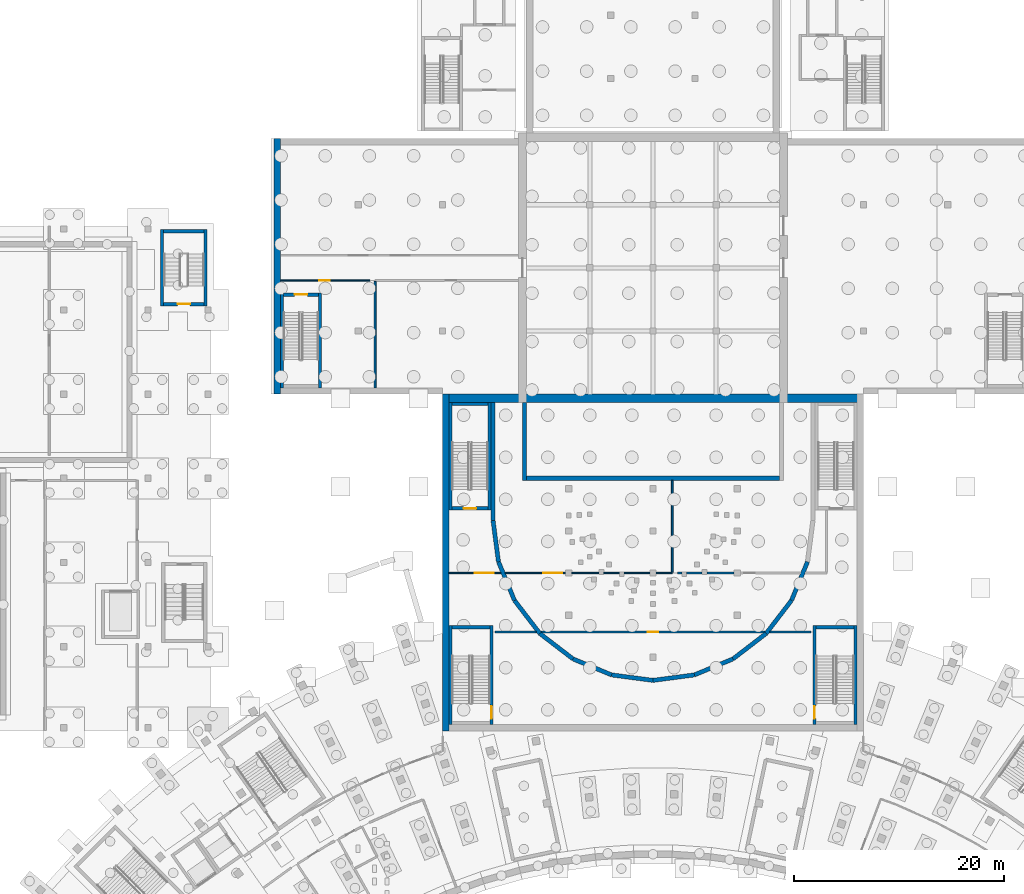
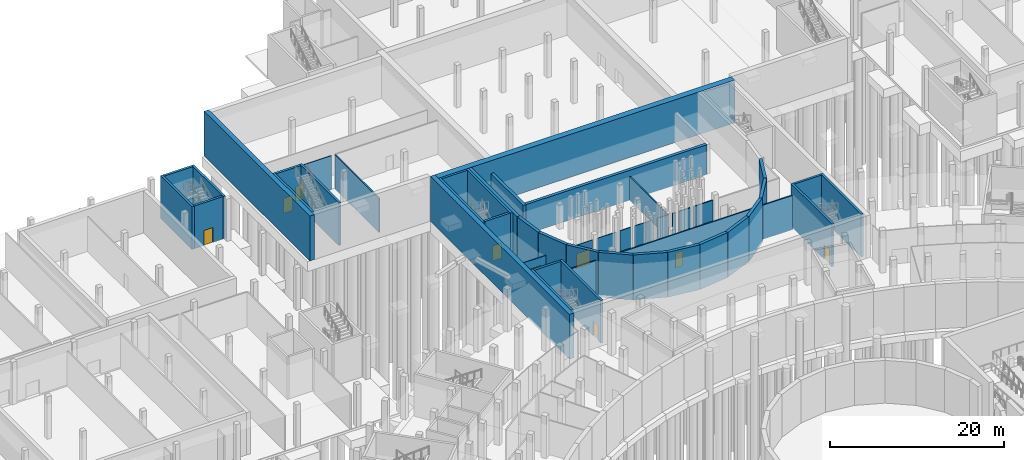
# One storey, part 25 of 66: 49 walls, 9 doors, 9 openings.
"""IFC4 building model written with IfcOpenShell, lengths in metres."""

import ifcopenshell
import ifcopenshell.guid

model = None  # the IFC model being written
_history = None  # IfcOwnerHistory: only IFC2X3 demands one
_inside = {}  # id of a spatial element -> (the spatial element, [elements in it])
_under = {}  # id of a project, library or spatial element -> (it, [spatial elements below it])
_declared = {}  # id of a project -> (the project, [libraries it declares])
_typed = {}  # id of a type object -> (the type object, [elements of that type])
_made_of = {}  # id of a material, layer set ... -> (it, [elements and type objects made of it])


def new_model(schema):
    """Start an empty IFC model of exactly this schema.

    Asked for "IFC4X3", IfcOpenShell would pick the latest addendum, in which some entities
    have other attributes; the version numbers below select the first issue.
    IFC2X3 requires an IfcOwnerHistory on every rooted entity: one is made here for all.
    """
    global model, _history
    if schema == "IFC4X3":
        model = ifcopenshell.file(schema_version=(4, 3, 0, 0))
    else:
        model = ifcopenshell.file(schema=schema)
    _inside.clear()
    _under.clear()
    _declared.clear()
    _typed.clear()
    _made_of.clear()
    _history = None
    if model.schema == "IFC2X3":
        org = make("IfcOrganization", Name="unknown")
        user = make(
            "IfcPersonAndOrganization",
            ThePerson=make("IfcPerson", FamilyName="unknown"),
            TheOrganization=org,
        )
        app = make(
            "IfcApplication",
            ApplicationDeveloper=org,
            Version="unknown",
            ApplicationFullName="unknown",
            ApplicationIdentifier="unknown",
        )
        _history = make(
            "IfcOwnerHistory",
            OwningUser=user,
            OwningApplication=app,
            ChangeAction="ADDED",
            CreationDate=0,
        )
    return model


def make(cls, **values):
    """One entity of the class cls with the attributes given. An attribute that is None is left unset."""
    return model.create_entity(
        cls, **{name: value for name, value in values.items() if value is not None}
    )


def rooted(cls, **values):
    """An entity with a GlobalId (a new one), such as an element, a storey or a relation."""
    return make(cls, GlobalId=ifcopenshell.guid.new(), OwnerHistory=_history, **values)


def si_unit(unit_type, name, prefix=None):
    """IfcSIUnit, for example si_unit("LENGTHUNIT", "METRE", prefix="MILLI")."""
    return make("IfcSIUnit", UnitType=unit_type, Prefix=prefix, Name=name)


def assignment(units):
    """IfcUnitAssignment: the units of a project."""
    return None if units is None else make("IfcUnitAssignment", Units=units)


def point(xyz):
    """IfcCartesianPoint."""
    return None if xyz is None else make("IfcCartesianPoint", Coordinates=xyz)


def direction(xyz):
    """IfcDirection."""
    return None if xyz is None else make("IfcDirection", DirectionRatios=xyz)


def frame(location, z_axis=None, x_axis=None):
    """IfcAxis2Placement3D, a coordinate frame: its origin and axes. An axis left out is left unset."""
    return make(
        "IfcAxis2Placement3D",
        Location=point(location),
        Axis=direction(z_axis),
        RefDirection=direction(x_axis),
    )


def frame_2d(location, x_axis=None):
    """IfcAxis2Placement2D, a coordinate frame in the plane: its origin and x axis."""
    return make(
        "IfcAxis2Placement2D", Location=point(location), RefDirection=direction(x_axis)
    )


def origin():
    """The frame at (0, 0, 0) with its axes left unset."""
    return frame((0.0, 0.0, 0.0))


def place(relative_to, where):
    """IfcLocalPlacement: puts the frame where relative to a parent placement (None: the world)."""
    return make(
        "IfcLocalPlacement", PlacementRelTo=relative_to, RelativePlacement=where
    )


def context(
    kind, dimensions, precision=None, world=None, true_north=None, identifier=None
):
    """IfcGeometricRepresentationContext, for example the 3D "Model" context."""
    return make(
        "IfcGeometricRepresentationContext",
        ContextIdentifier=identifier,
        ContextType=kind,
        CoordinateSpaceDimension=dimensions,
        Precision=precision,
        WorldCoordinateSystem=world,
        TrueNorth=true_north,
    )


def subcontext(parent, identifier, kind, view, scale=None):
    """IfcGeometricRepresentationSubContext, for example "Body" below "Model"."""
    return make(
        "IfcGeometricRepresentationSubContext",
        ContextIdentifier=identifier,
        ContextType=kind,
        ParentContext=parent,
        TargetScale=scale,
        TargetView=view,
    )


def project(units=None, contexts=None):
    """IfcProject with its units and contexts."""
    return rooted(
        "IfcProject",
        Name="project",
        RepresentationContexts=contexts,
        UnitsInContext=assignment(units),
    )


def spatial(cls, under=None, at=None, **own):
    """A site, building, storey or space (cls), placed at a placement, below another one or the project."""
    s = rooted(cls, ObjectPlacement=at, **own)
    if under is not None:
        _under.setdefault(under.id(), (under, []))[1].append(s)
    return s


def profile(cls, at=None, kind="AREA", **sizes):
    """A parametric profile (cls). Its sizes go by their IFC names, for example OverallWidth=200.0."""
    return make(cls, ProfileType=kind, Position=at, **sizes)


def rectangle(**sizes):
    """IfcRectangleProfileDef."""
    return profile("IfcRectangleProfileDef", **sizes)


def extrude(swept, where, along, depth):
    """IfcExtrudedAreaSolid: the profile swept, set in the frame where, extruded along a direction by depth."""
    return make(
        "IfcExtrudedAreaSolid",
        SweptArea=swept,
        Position=where,
        ExtrudedDirection=direction(along),
        Depth=depth,
    )


def shape(context_of_items, identifier, shape_type, items):
    """IfcShapeRepresentation: the items that make up one representation, for example the "Body"."""
    return make(
        "IfcShapeRepresentation",
        ContextOfItems=context_of_items,
        RepresentationIdentifier=identifier,
        RepresentationType=shape_type,
        Items=items,
    )


def material(Name=None, Category=None):
    """IfcMaterial."""
    return make("IfcMaterial", Name=Name, Category=Category)


def layer(
    of_material, thickness, ventilated=None, Name=None, Category=None, Priority=None
):
    """IfcMaterialLayer: one layer of a wall or slab, of a material (None: an air gap)."""
    return make(
        "IfcMaterialLayer",
        Material=of_material,
        LayerThickness=thickness,
        IsVentilated=ventilated,
        Name=Name,
        Category=Category,
        Priority=Priority,
    )


def layer_set(layers, Name=None):
    """IfcMaterialLayerSet."""
    return make("IfcMaterialLayerSet", MaterialLayers=layers, LayerSetName=Name)


def made_of(thing, what):
    """Note that an element or type object is made of a material, layer set ...; save() writes the relation."""
    if what is not None:
        _made_of.setdefault(what.id(), (what, []))[1].append(thing)
    return thing


def type_object(cls, material=None, **own):
    """A type object (cls), such as IfcWallType, which elements share."""
    return made_of(rooted(cls, **own), material)


def element(
    cls,
    number,
    at=None,
    inside=None,
    cuts=None,
    type_object=None,
    material=None,
    context=None,
    identifier="Body",
    shape_type=None,
    held_by="IfcProductDefinitionShape",
    body=None,
    shapes=None,
    **own,
):
    """One element of the class cls, such as IfcWall. Its Tag is "e" and its number.

    at: its placement. inside: the storey or other place that contains it. cuts: it is an
    opening in that element (IfcRelVoidsElement). A single representation is given by context,
    identifier, shape_type and body (its items); several are given by shapes. held_by: the class
    of the entity that holds the representations. save() writes the other relations.
    """
    e = rooted(cls, Tag="e%d" % number, ObjectPlacement=at, **own)
    if body is not None:
        shapes = [shape(context, identifier, shape_type, body)]
    if shapes is not None:
        e.Representation = make(held_by, Representations=shapes)
    if inside is not None:
        _inside.setdefault(inside.id(), (inside, []))[1].append(e)
    if cuts is not None:
        rooted(
            "IfcRelVoidsElement", RelatingBuildingElement=cuts, RelatedOpeningElement=e
        )
    if type_object is not None:
        _typed.setdefault(type_object.id(), (type_object, []))[1].append(e)
    return made_of(e, material)


def fill(opening, filler):
    """IfcRelFillsElement: the door or window that sits in an opening."""
    return rooted(
        "IfcRelFillsElement",
        RelatingOpeningElement=opening,
        RelatedBuildingElement=filler,
    )


def aggregate(whole, parts):
    """IfcRelAggregates: a whole, such as a stair, and the parts it consists of."""
    return rooted("IfcRelAggregates", RelatingObject=whole, RelatedObjects=parts)


def save(model, path):
    """Write the relations noted so far, then the file.

    IfcRelAggregates (storeys below a building ...), IfcRelContainedInSpatialStructure (elements
    in a storey), IfcRelDefinesByType, IfcRelAssociatesMaterial and IfcRelDeclares: one each for
    every whole, place, type object, material and project.
    """
    for whole, parts in _under.values():
        aggregate(whole, parts)
    for where, things in _inside.values():
        rooted(
            "IfcRelContainedInSpatialStructure",
            RelatedElements=things,
            RelatingStructure=where,
        )
    for kind, things in _typed.values():
        rooted("IfcRelDefinesByType", RelatedObjects=things, RelatingType=kind)
    for what, things in _made_of.values():
        rooted("IfcRelAssociatesMaterial", RelatedObjects=things, RelatingMaterial=what)
    for by, libraries in _declared.values():
        rooted("IfcRelDeclares", RelatingContext=by, RelatedDefinitions=libraries)
    model.write(path)


model = new_model("IFC4")

# Units and contexts
model_context = context("Model", 3, precision=1e-05, world=origin(), true_north=direction((0.0, 1.0)))
body_context = subcontext(model_context, "Body", "Model", "MODEL_VIEW")
ifc_project = project(units=[si_unit("LENGTHUNIT", "METRE"), si_unit("AREAUNIT", "SQUARE_METRE"), si_unit("VOLUMEUNIT", "CUBIC_METRE"), si_unit("PLANEANGLEUNIT", "RADIAN"), si_unit("MASSUNIT", "GRAM", prefix="KILO")], contexts=[model_context])

# Site, building, storey
site_placement = place(None, origin())
site = spatial("IfcSite", under=ifc_project, at=site_placement, CompositionType="ELEMENT")
building_placement = place(site_placement, origin())
building = spatial("IfcBuilding", under=site, at=building_placement, Name="Lunette Opera House", CompositionType="ELEMENT")
storey_placement = place(building_placement, frame((0.0, 0.0, -6.0)))
storey = spatial("IfcBuildingStorey", under=building, at=storey_placement, Name="B1", CompositionType="ELEMENT", Elevation=-6.0)

# Wall
ifc_material_1 = material(Name="Plastered clay blockwork", Category="masonry")
ifc_layer_1 = layer(ifc_material_1, 0.175048828125)
ifc_layer_set_1 = layer_set([ifc_layer_1], Name="Plastered clay blockwork")
wall_type_1 = type_object("IfcWallType", Name="ACOUSTIC BLOCK PARTITION 175", PredefinedType="PARTITIONING", material=ifc_layer_set_1)
wall_1_placement = place(storey_placement, frame((84.882080078125, 73.39990234375, 0.0), z_axis=(0.0, 0.0, 1.0), x_axis=(-1.0, 0.0, 0.0)))
element("IfcWall", 1, at=wall_1_placement, inside=storey, type_object=wall_type_1, Name="Partition Auditorium Plant Room", PredefinedType="PARTITIONING", context=body_context, shape_type="SweptSolid", body=[
    extrude(rectangle(XDim=3.882080078125, YDim=0.175048828125, at=frame_2d((1.94091796875, 0.0))), origin(), (0.0, 0.0, 1.0), 4.800048828125),
])

# Wall, opening, door
wall_2_placement = place(storey_placement, frame((106.612060546875, 73.39990234375, 0.0), z_axis=(0.0, 0.0, 1.0), x_axis=(-1.0, 0.0, 0.0)))
wall_2 = element("IfcWall", 2, at=wall_2_placement, inside=storey, type_object=wall_type_1, Name="Partition Auditorium Plant Room", PredefinedType="PARTITIONING", context=body_context, shape_type="SweptSolid", body=[
    extrude(rectangle(XDim=21.22412109375, YDim=0.175048828125, at=frame_2d((10.612060546875, 0.0))), origin(), (0.0, 0.0, 1.0), 4.800048828125),
])
opening_1_placement = place(wall_2_placement, frame((10.112060546875, 0.0, 0.0)))
opening_1 = element("IfcOpeningElement", 3, at=opening_1_placement, cuts=wall_2, Name="Opening AU-D3004", PredefinedType="OPENING", context=body_context, shape_type="SweptSolid", body=[
    extrude(rectangle(XDim=1.0, YDim=2.10009765625, at=frame_2d((0.5, 1.050048828125))), frame((0.0, 0.099609375, 0.0), z_axis=(0.0, -1.0, 0.0), x_axis=(1.0, 0.0, 0.0)), (0.0, 0.0, 1.0), 0.198974609375),
])
ifc_material_2 = material(Name="Timber", Category="wood")
door_type_1 = type_object("IfcDoorType", Name="FLUSH DOOR 1000 X 2100", OperationType="SINGLE_SWING_LEFT", PredefinedType="DOOR", material=ifc_material_2)
door_1_placement = place(opening_1_placement, origin())
door_1 = element("IfcDoor", 4, at=door_1_placement, inside=storey, type_object=door_type_1, Name="Auditorium Plant Room door", OperationType="SINGLE_SWING_RIGHT", OverallHeight=2.10009765625, OverallWidth=1.0, PredefinedType="DOOR", context=body_context, shape_type="SweptSolid", body=[
    extrude(rectangle(XDim=1.0, YDim=2.10009765625, at=frame_2d((0.5, 1.050048828125))), frame((0.0, 0.02490234375, 0.0), z_axis=(0.0, -1.0, 0.0), x_axis=(1.0, 0.0, 0.0)), (0.0, 0.0, 1.0), 0.050048828125),
])
fill(opening_1, door_1)

# Walls
wall_3_placement = place(storey_placement, frame((111.0, 73.39990234375, 0.0), z_axis=(0.0, 0.0, 1.0), x_axis=(-1.0, 0.0, 0.0)))
element("IfcWall", 5, at=wall_3_placement, inside=storey, type_object=wall_type_1, Name="Partition Auditorium Plant Room", PredefinedType="PARTITIONING", context=body_context, shape_type="SweptSolid", body=[
    extrude(rectangle(XDim=3.882080078125, YDim=0.175048828125, at=frame_2d((1.94091796875, 0.0))), origin(), (0.0, 0.0, 1.0), 4.800048828125),
])
wall_4_placement = place(storey_placement, frame((101.1259765625, 79.0, 0.0), z_axis=(0.0, 0.0, 1.0), x_axis=(1.0, 0.0, 0.0)))
element("IfcWall", 6, at=wall_4_placement, inside=storey, type_object=wall_type_1, Name="Partition Orchestra Pit Store", PredefinedType="PARTITIONING", context=body_context, shape_type="SweptSolid", body=[
    extrude(rectangle(XDim=2.573974609375, YDim=0.175048828125, at=frame_2d((1.287109375, 0.0))), origin(), (0.0, 0.0, 1.0), 3.300048828125),
])
wall_5_placement = place(storey_placement, frame((99.18603515625, 79.0, 0.0), z_axis=(0.0, 0.0, 1.0), x_axis=(1.0, 0.0, 0.0)))
element("IfcWall", 7, at=wall_5_placement, inside=storey, type_object=wall_type_1, Name="Partition Orchestra Pit Store", PredefinedType="PARTITIONING", context=body_context, shape_type="SweptSolid", body=[
    extrude(rectangle(XDim=1.489013671875, YDim=0.175048828125, at=frame_2d((0.74462890625, 0.0))), origin(), (0.0, 0.0, 1.0), 3.300048828125),
])
wall_6_placement = place(storey_placement, frame((98.330078125, 79.0, 0.0), z_axis=(0.0, 0.0, 1.0), x_axis=(1.0, 0.0, 0.0)))
element("IfcWall", 8, at=wall_6_placement, inside=storey, type_object=wall_type_1, Name="Partition Orchestra Pit Store", PredefinedType="PARTITIONING", context=body_context, shape_type="SweptSolid", body=[
    extrude(rectangle(XDim=0.406005859375, YDim=0.175048828125, at=frame_2d((0.203125, 0.0))), origin(), (0.0, 0.0, 1.0), 3.300048828125),
])
wall_7_placement = place(storey_placement, frame((69.591064453125, 96.60009765625, 0.0), z_axis=(0.0, 0.0, 1.0), x_axis=(0.0, 1.0, 0.0)))
element("IfcWall", 9, at=wall_7_placement, inside=storey, type_object=wall_type_1, Name="Partition Stage Technicians' Room", PredefinedType="PARTITIONING", context=body_context, shape_type="SweptSolid", body=[
    extrude(rectangle(XDim=10.11181640625, YDim=0.175048828125, at=frame_2d((5.055908203125, 0.0))), origin(), (0.0, 0.0, 1.0), 4.800048828125),
])
wall_8_placement = place(storey_placement, frame((97.830078125, 87.799072265625, 0.0), z_axis=(0.0, 0.0, 1.0), x_axis=(0.0, -1.0, 0.0)))
element("IfcWall", 10, at=wall_8_placement, inside=storey, type_object=wall_type_1, Name="Partition Orchestra Pit Store", PredefinedType="PARTITIONING", context=body_context, shape_type="SweptSolid", body=[
    extrude(rectangle(XDim=8.7490234375, YDim=0.175048828125, at=frame_2d((4.37451171875, 0.0))), origin(), (0.0, 0.0, 1.0), 3.300048828125),
])
ifc_material_3 = material(Name="Concrete C40/50", Category="concrete")
ifc_layer_2 = layer(ifc_material_3, 0.800048828125)
ifc_layer_set_2 = layer_set([ifc_layer_2], Name="Concrete C40/50")
wall_type_2 = type_object("IfcWallType", Name="FIRE WALL 800", PredefinedType="SHEAR", material=ifc_layer_set_2)
wall_9_placement = place(storey_placement, frame((76.0, 95.60009765625, 0.0), z_axis=(0.0, 0.0, 1.0), x_axis=(1.0, 0.0, 0.0)))
element("IfcWall", 11, at=wall_9_placement, inside=storey, type_object=wall_type_2, Name="wall-ST-B1-WP-1", PredefinedType="SHEAR", context=body_context, shape_type="SweptSolid", body=[
    extrude(rectangle(XDim=40.0, YDim=0.800048828125, at=frame_2d((20.0, 0.0))), origin(), (0.0, 0.0, 1.0), 6.0),
])
ifc_material_4 = material(Name="Concrete C35/45", Category="concrete")
ifc_layer_3 = layer(ifc_material_4, 0.300048828125)
ifc_layer_set_3 = layer_set([ifc_layer_3], Name="Concrete C35/45")
wall_type_3 = type_object("IfcWallType", Name="RC STAIR ENCLOSURE WALL 300", PredefinedType="SOLIDWALL", material=ifc_layer_set_3)
wall_10_placement = place(storey_placement, frame((80.449951171875, 85.0, 0.0), z_axis=(0.0, 0.0, 1.0), x_axis=(0.0, 1.0, 0.0)))
element("IfcWall", 12, at=wall_10_placement, inside=storey, type_object=wall_type_3, Name="ST10 enclosure wall 1", PredefinedType="SOLIDWALL", context=body_context, shape_type="SweptSolid", body=[
    extrude(rectangle(XDim=10.199951171875, YDim=0.300048828125, at=frame_2d((5.10009765625, 0.0))), origin(), (0.0, 0.0, 1.0), 6.0),
])
wall_11_placement = place(storey_placement, frame((80.300048828125, 95.050048828125, 0.0), z_axis=(0.0, 0.0, 1.0), x_axis=(-1.0, 0.0, 0.0)))
element("IfcWall", 13, at=wall_11_placement, inside=storey, type_object=wall_type_3, Name="ST10 enclosure wall 2", PredefinedType="SOLIDWALL", context=body_context, shape_type="SweptSolid", body=[
    extrude(rectangle(XDim=3.400146484375, YDim=0.300048828125, at=frame_2d((1.7001953125, 0.0))), origin(), (0.0, 0.0, 1.0), 6.0),
])
wall_12_placement = place(storey_placement, frame((76.75, 95.199951171875, 0.0), z_axis=(0.0, 0.0, 1.0), x_axis=(0.0, -1.0, 0.0)))
element("IfcWall", 14, at=wall_12_placement, inside=storey, type_object=wall_type_3, Name="ST10 enclosure wall 3", PredefinedType="SOLIDWALL", context=body_context, shape_type="SweptSolid", body=[
    extrude(rectangle(XDim=10.199951171875, YDim=0.300048828125, at=frame_2d((5.10009765625, 0.0))), origin(), (0.0, 0.0, 1.0), 6.0),
])

# Wall, opening, door
wall_13_placement = place(storey_placement, frame((76.89990234375, 85.14990234375, 0.0), z_axis=(0.0, 0.0, 1.0), x_axis=(1.0, 0.0, 0.0)))
wall_13 = element("IfcWall", 15, at=wall_13_placement, inside=storey, type_object=wall_type_3, Name="ST10 enclosure wall 4", PredefinedType="SOLIDWALL", context=body_context, shape_type="SweptSolid", body=[
    extrude(rectangle(XDim=3.400146484375, YDim=0.300048828125, at=frame_2d((1.7001953125, 0.0))), origin(), (0.0, 0.0, 1.0), 6.0),
])
opening_2_placement = place(wall_13_placement, frame((1.10009765625, 0.0, 0.0)))
opening_2 = element("IfcOpeningElement", 16, at=opening_2_placement, cuts=wall_13, Name="Opening AU-D7001", PredefinedType="OPENING", context=body_context, shape_type="SweptSolid", body=[
    extrude(rectangle(XDim=1.199951171875, YDim=2.10009765625, at=frame_2d((0.60009765625, 1.050048828125))), frame((0.0, 0.162109375, 0.0), z_axis=(0.0, -1.0, 0.0), x_axis=(1.0, 0.0, 0.0)), (0.0, 0.0, 1.0), 0.323974609375),
])
ifc_material_5 = material(Name="Steel", Category="steel")
door_type_2 = type_object("IfcDoorType", Name="FIRE DOOR 1200 X 2100", OperationType="SINGLE_SWING_LEFT", PredefinedType="DOOR", material=ifc_material_5)
door_2_placement = place(opening_2_placement, origin())
door_2 = element("IfcDoor", 17, at=door_2_placement, inside=storey, type_object=door_type_2, Name="ST10 stair door", OperationType="SINGLE_SWING_LEFT", OverallHeight=2.10009765625, OverallWidth=1.199951171875, PredefinedType="DOOR", context=body_context, shape_type="SweptSolid", body=[
    extrude(rectangle(XDim=1.199951171875, YDim=2.10009765625, at=frame_2d((0.60009765625, 1.050048828125))), frame((0.0, 0.02490234375, 0.0), z_axis=(0.0, -1.0, 0.0), x_axis=(1.0, 0.0, 0.0)), (0.0, 0.0, 1.0), 0.050048828125),
])
fill(opening_2, door_2)

# Wall
wall_14_placement = place(storey_placement, frame((64.35009765625, 96.60009765625, 0.0), z_axis=(0.0, 0.0, 1.0), x_axis=(0.0, 1.0, 0.0)))
element("IfcWall", 18, at=wall_14_placement, inside=storey, type_object=wall_type_3, Name="ST13 enclosure wall 1", PredefinedType="SOLIDWALL", context=body_context, shape_type="SweptSolid", body=[
    extrude(rectangle(XDim=9.0, YDim=0.300048828125, at=frame_2d((4.5, 0.0))), origin(), (0.0, 0.0, 1.0), 6.0),
])

# Wall, opening, door
wall_15_placement = place(storey_placement, frame((64.199951171875, 105.449951171875, 0.0), z_axis=(0.0, 0.0, 1.0), x_axis=(-1.0, 0.0, 0.0)))
wall_15 = element("IfcWall", 19, at=wall_15_placement, inside=storey, type_object=wall_type_3, Name="ST13 enclosure wall 2", PredefinedType="SOLIDWALL", context=body_context, shape_type="SweptSolid", body=[
    extrude(rectangle(XDim=3.300048828125, YDim=0.300048828125, at=frame_2d((1.64990234375, 0.0))), origin(), (0.0, 0.0, 1.0), 6.0),
])
opening_3_placement = place(wall_15_placement, frame((1.050048828125, 0.0, 0.0)))
opening_3 = element("IfcOpeningElement", 20, at=opening_3_placement, cuts=wall_15, Name="Opening ST-D7019", PredefinedType="OPENING", context=body_context, shape_type="SweptSolid", body=[
    extrude(rectangle(XDim=1.199951171875, YDim=2.10009765625, at=frame_2d((0.60009765625, 1.050048828125))), frame((0.0, 0.162109375, 0.0), z_axis=(0.0, -1.0, 0.0), x_axis=(1.0, 0.0, 0.0)), (0.0, 0.0, 1.0), 0.323974609375),
])
door_3_placement = place(opening_3_placement, origin())
door_3 = element("IfcDoor", 21, at=door_3_placement, inside=storey, type_object=door_type_2, Name="ST13 stair door", OperationType="SINGLE_SWING_LEFT", OverallHeight=2.10009765625, OverallWidth=1.199951171875, PredefinedType="DOOR", context=body_context, shape_type="SweptSolid", body=[
    extrude(rectangle(XDim=1.199951171875, YDim=2.10009765625, at=frame_2d((0.60009765625, 1.050048828125))), frame((0.0, 0.02490234375, 0.0), z_axis=(0.0, -1.0, 0.0), x_axis=(1.0, 0.0, 0.0)), (0.0, 0.0, 1.0), 0.050048828125),
])
fill(opening_3, door_3)

# Walls
wall_16_placement = place(storey_placement, frame((60.75, 105.60009765625, 0.0), z_axis=(0.0, 0.0, 1.0), x_axis=(0.0, -1.0, 0.0)))
element("IfcWall", 22, at=wall_16_placement, inside=storey, type_object=wall_type_3, Name="ST13 enclosure wall 3", PredefinedType="SOLIDWALL", context=body_context, shape_type="SweptSolid", body=[
    extrude(rectangle(XDim=9.0, YDim=0.300048828125, at=frame_2d((4.5, 0.0))), origin(), (0.0, 0.0, 1.0), 6.0),
])
wall_17_placement = place(storey_placement, frame((53.485107421875, 104.39990234375, 0.0), z_axis=(0.0, 0.0, 1.0), x_axis=(0.0, 1.0, 0.0)))
element("IfcWall", 23, at=wall_17_placement, inside=storey, type_object=wall_type_3, Name="ST17 enclosure wall 1", PredefinedType="SOLIDWALL", context=body_context, shape_type="SweptSolid", body=[
    extrude(rectangle(XDim=7.235107421875, YDim=0.300048828125, at=frame_2d((3.61767578125, 0.0))), origin(), (0.0, 0.0, 1.0), 6.0),
])
wall_18_placement = place(storey_placement, frame((53.3349609375, 111.485107421875, 0.0), z_axis=(0.0, 0.0, 1.0), x_axis=(-1.0, 0.0, 0.0)))
element("IfcWall", 24, at=wall_18_placement, inside=storey, type_object=wall_type_3, Name="ST17 enclosure wall 2", PredefinedType="SOLIDWALL", context=body_context, shape_type="SweptSolid", body=[
    extrude(rectangle(XDim=3.8349609375, YDim=0.300048828125, at=frame_2d((1.91748046875, 0.0))), origin(), (0.0, 0.0, 1.0), 6.0),
])
wall_19_placement = place(storey_placement, frame((49.35009765625, 111.635009765625, 0.0), z_axis=(0.0, 0.0, 1.0), x_axis=(0.0, -1.0, 0.0)))
element("IfcWall", 25, at=wall_19_placement, inside=storey, type_object=wall_type_3, Name="ST17 enclosure wall 3", PredefinedType="SOLIDWALL", context=body_context, shape_type="SweptSolid", body=[
    extrude(rectangle(XDim=7.235107421875, YDim=0.300048828125, at=frame_2d((3.61767578125, 0.0))), origin(), (0.0, 0.0, 1.0), 6.0),
])

# Wall, opening, door
wall_20_placement = place(storey_placement, frame((49.5, 104.550048828125, 0.0), z_axis=(0.0, 0.0, 1.0), x_axis=(1.0, 0.0, 0.0)))
wall_20 = element("IfcWall", 26, at=wall_20_placement, inside=storey, type_object=wall_type_3, Name="ST17 enclosure wall 4", PredefinedType="SOLIDWALL", context=body_context, shape_type="SweptSolid", body=[
    extrude(rectangle(XDim=3.8349609375, YDim=0.300048828125, at=frame_2d((1.91748046875, 0.0))), origin(), (0.0, 0.0, 1.0), 6.0),
])
opening_4_placement = place(wall_20_placement, frame((1.31689453125, 0.0, 0.0)))
opening_4 = element("IfcOpeningElement", 27, at=opening_4_placement, cuts=wall_20, Name="Opening RW-D7013", PredefinedType="OPENING", context=body_context, shape_type="SweptSolid", body=[
    extrude(rectangle(XDim=1.199951171875, YDim=2.10009765625, at=frame_2d((0.60009765625, 1.050048828125))), frame((0.0, 0.162109375, 0.0), z_axis=(0.0, -1.0, 0.0), x_axis=(1.0, 0.0, 0.0)), (0.0, 0.0, 1.0), 0.323974609375),
])
door_4_placement = place(opening_4_placement, origin())
door_4 = element("IfcDoor", 28, at=door_4_placement, inside=storey, type_object=door_type_2, Name="ST17 stair door", OperationType="SINGLE_SWING_LEFT", OverallHeight=2.10009765625, OverallWidth=1.199951171875, PredefinedType="DOOR", context=body_context, shape_type="SweptSolid", body=[
    extrude(rectangle(XDim=1.199951171875, YDim=2.10009765625, at=frame_2d((0.60009765625, 1.050048828125))), frame((0.0, 0.02490234375, 0.0), z_axis=(0.0, -1.0, 0.0), x_axis=(1.0, 0.0, 0.0)), (0.0, 0.0, 1.0), 0.050048828125),
])
fill(opening_4, door_4)

wall_21_placement = place(storey_placement, frame((80.64990234375, 64.60009765625, 0.0), z_axis=(0.0, 0.0, 1.0), x_axis=(0.0, 1.0, 0.0)))
wall_21 = element("IfcWall", 29, at=wall_21_placement, inside=storey, type_object=wall_type_3, Name="ST7 enclosure wall 1", PredefinedType="SOLIDWALL", context=body_context, shape_type="SweptSolid", body=[
    extrude(rectangle(XDim=9.39990234375, YDim=0.300048828125, at=frame_2d((4.699951171875, 0.0))), origin(), (0.0, 0.0, 1.0), 6.0),
])
opening_5_placement = place(wall_21_placement, frame((0.56005859375, 0.0, 0.0)))
opening_5 = element("IfcOpeningElement", 30, at=opening_5_placement, cuts=wall_21, Name="Opening AU-D7007", PredefinedType="OPENING", context=body_context, shape_type="SweptSolid", body=[
    extrude(rectangle(XDim=1.199951171875, YDim=2.10009765625, at=frame_2d((0.60009765625, 1.050048828125))), frame((0.0, 0.162109375, 0.0), z_axis=(0.0, -1.0, 0.0), x_axis=(1.0, 0.0, 0.0)), (0.0, 0.0, 1.0), 0.323974609375),
])
door_5_placement = place(opening_5_placement, origin())
door_5 = element("IfcDoor", 31, at=door_5_placement, inside=storey, type_object=door_type_2, Name="ST7 stair door", OperationType="SINGLE_SWING_LEFT", OverallHeight=2.10009765625, OverallWidth=1.199951171875, PredefinedType="DOOR", context=body_context, shape_type="SweptSolid", body=[
    extrude(rectangle(XDim=1.199951171875, YDim=2.10009765625, at=frame_2d((0.60009765625, 1.050048828125))), frame((0.0, 0.02490234375, 0.0), z_axis=(0.0, -1.0, 0.0), x_axis=(1.0, 0.0, 0.0)), (0.0, 0.0, 1.0), 0.050048828125),
])
fill(opening_5, door_5)

# Walls
wall_22_placement = place(storey_placement, frame((80.5, 73.85009765625, 0.0), z_axis=(0.0, 0.0, 1.0), x_axis=(-1.0, 0.0, 0.0)))
element("IfcWall", 32, at=wall_22_placement, inside=storey, type_object=wall_type_3, Name="ST7 enclosure wall 2", PredefinedType="SOLIDWALL", context=body_context, shape_type="SweptSolid", body=[
    extrude(rectangle(XDim=3.60009765625, YDim=0.300048828125, at=frame_2d((1.800048828125, 0.0))), origin(), (0.0, 0.0, 1.0), 6.0),
])
for number, where, z_axis, x_axis, name in (
    (33, (76.75, 74.0, 0.0), (0.0, 0.0, 1.0), (0.0, -1.0, 0.0), "ST7 enclosure wall 3"),
    (34, (115.25, 64.60009765625, 0.0), (0.0, 0.0, 1.0), (0.0, 1.0, 0.0), "ST8 enclosure wall 1"),
):
    element("IfcWall", number, at=place(storey_placement, frame(where, z_axis=z_axis, x_axis=x_axis)), inside=storey, type_object=wall_type_3, Name=name, PredefinedType="SOLIDWALL", context=body_context, shape_type="SweptSolid", body=[
        extrude(rectangle(XDim=9.39990234375, YDim=0.300048828125, at=frame_2d((4.699951171875, 0.0))), origin(), (0.0, 0.0, 1.0), 6.0),
    ])
wall_23_placement = place(storey_placement, frame((115.10009765625, 73.85009765625, 0.0), z_axis=(0.0, 0.0, 1.0), x_axis=(-1.0, 0.0, 0.0)))
element("IfcWall", 35, at=wall_23_placement, inside=storey, type_object=wall_type_3, Name="ST8 enclosure wall 2", PredefinedType="SOLIDWALL", context=body_context, shape_type="SweptSolid", body=[
    extrude(rectangle(XDim=3.60009765625, YDim=0.300048828125, at=frame_2d((1.800048828125, 0.0))), origin(), (0.0, 0.0, 1.0), 6.0),
])

# Wall, opening, door
wall_24_placement = place(storey_placement, frame((111.35009765625, 74.0, 0.0), z_axis=(0.0, 0.0, 1.0), x_axis=(0.0, -1.0, 0.0)))
wall_24 = element("IfcWall", 36, at=wall_24_placement, inside=storey, type_object=wall_type_3, Name="ST8 enclosure wall 3", PredefinedType="SOLIDWALL", context=body_context, shape_type="SweptSolid", body=[
    extrude(rectangle(XDim=9.39990234375, YDim=0.300048828125, at=frame_2d((4.699951171875, 0.0))), origin(), (0.0, 0.0, 1.0), 6.0),
])
opening_6_placement = place(wall_24_placement, frame((7.639892578125, 0.0, 0.0)))
opening_6 = element("IfcOpeningElement", 37, at=opening_6_placement, cuts=wall_24, Name="Opening AU-D7013", PredefinedType="OPENING", context=body_context, shape_type="SweptSolid", body=[
    extrude(rectangle(XDim=1.199951171875, YDim=2.10009765625, at=frame_2d((0.60009765625, 1.050048828125))), frame((0.0, 0.162109375, 0.0), z_axis=(0.0, -1.0, 0.0), x_axis=(1.0, 0.0, 0.0)), (0.0, 0.0, 1.0), 0.323974609375),
])
door_6_placement = place(opening_6_placement, origin())
door_6 = element("IfcDoor", 38, at=door_6_placement, inside=storey, type_object=door_type_2, Name="ST8 stair door", OperationType="SINGLE_SWING_LEFT", OverallHeight=2.10009765625, OverallWidth=1.199951171875, PredefinedType="DOOR", context=body_context, shape_type="SweptSolid", body=[
    extrude(rectangle(XDim=1.199951171875, YDim=2.10009765625, at=frame_2d((0.60009765625, 1.050048828125))), frame((0.0, 0.02490234375, 0.0), z_axis=(0.0, -1.0, 0.0), x_axis=(1.0, 0.0, 0.0)), (0.0, 0.0, 1.0), 0.050048828125),
])
fill(opening_6, door_6)

# Walls
ifc_material_6 = material(Name="Concrete C35/45", Category="concrete")
ifc_layer_4 = layer(ifc_material_6, 0.39990234375)
ifc_layer_set_4 = layer_set([ifc_layer_4], Name="Concrete C35/45")
wall_type_4 = type_object("IfcWallType", Name="RC WALL 400", PredefinedType="SHEAR", material=ifc_layer_set_4)
wall_25_placement = place(storey_placement, frame((80.800048828125, 95.199951171875, -0.300048828125), z_axis=(0.0, 0.0, 1.0), x_axis=(0.0, -1.0, 0.0)))
element("IfcWall", 39, at=wall_25_placement, inside=storey, type_object=wall_type_4, Name="wall-AU-B1-HW01", PredefinedType="SHEAR", context=body_context, shape_type="SweptSolid", body=[
    extrude(rectangle(XDim=11.212890625, YDim=0.39990234375, at=frame_2d((5.6064453125, 0.0))), origin(), (0.0, 0.0, 1.0), 6.300048828125),
])
wall_26_placement = place(storey_placement, frame((80.800048828125, 83.987060546875, -0.300048828125), z_axis=(0.0, 0.0, 1.0), x_axis=(0.130436947249, -0.991456606611, 0.0)))
element("IfcWall", 40, at=wall_26_placement, inside=storey, type_object=wall_type_4, Name="wall-AU-B1-HW02", PredefinedType="SHEAR", context=body_context, shape_type="SweptSolid", body=[
    extrude(rectangle(XDim=3.954833984375, YDim=0.39990234375, at=frame_2d((1.9775390625, 0.0))), origin(), (0.0, 0.0, 1.0), 6.300048828125),
])
wall_27_placement = place(storey_placement, frame((81.31591796875, 80.06591796875, -0.300048828125), z_axis=(0.0, 0.0, 1.0), x_axis=(0.38271032831, -0.923868391388, 0.0)))
element("IfcWall", 41, at=wall_27_placement, inside=storey, type_object=wall_type_4, Name="wall-AU-B1-HW03", PredefinedType="SHEAR", context=body_context, shape_type="SweptSolid", body=[
    extrude(rectangle(XDim=3.96923828125, YDim=0.39990234375, at=frame_2d((1.984619140625, 0.0))), origin(), (0.0, 0.0, 1.0), 6.300048828125),
])
for number, where, z_axis, x_axis, name in (
    (42, (82.8349609375, 76.39892578125, -0.300048828125), (0.0, 0.0, 1.0), (0.608568439888, -0.793501388766, 0.0), "wall-AU-B1-HW04"),
    (43, (85.25, 73.25, -0.300048828125), (0.0, 0.0, 1.0), (0.793501388766, -0.608568439888, 0.0), "wall-AU-B1-HW05"),
):
    element("IfcWall", number, at=place(storey_placement, frame(where, z_axis=z_axis, x_axis=x_axis)), inside=storey, type_object=wall_type_4, Name=name, PredefinedType="SHEAR", context=body_context, shape_type="SweptSolid", body=[
        extrude(rectangle(XDim=3.968505859375, YDim=0.39990234375, at=frame_2d((1.984375, 0.0))), origin(), (0.0, 0.0, 1.0), 6.300048828125),
    ])
wall_28_placement = place(storey_placement, frame((88.39892578125, 70.8349609375, -0.300048828125), z_axis=(0.0, 0.0, 1.0), x_axis=(0.923868391388, -0.38271032831, 0.0)))
element("IfcWall", 44, at=wall_28_placement, inside=storey, type_object=wall_type_4, Name="wall-AU-B1-HW06", PredefinedType="SHEAR", context=body_context, shape_type="SweptSolid", body=[
    extrude(rectangle(XDim=3.96923828125, YDim=0.39990234375, at=frame_2d((1.984619140625, 0.0))), origin(), (0.0, 0.0, 1.0), 6.300048828125),
])
for number, where, z_axis, x_axis, name in (
    (45, (92.06591796875, 69.31591796875, -0.300048828125), (0.0, 0.0, 1.0), (0.991448430824, -0.13049907669, 0.0), "wall-AU-B1-HW07"),
    (46, (96.0, 68.798095703125, -0.300048828125), (0.0, 0.0, 1.0), (0.991448430824, 0.13049907669, 0.0), "wall-AU-B1-HW08"),
):
    element("IfcWall", number, at=place(storey_placement, frame(where, z_axis=z_axis, x_axis=x_axis)), inside=storey, type_object=wall_type_4, Name=name, PredefinedType="SHEAR", context=body_context, shape_type="SweptSolid", body=[
        extrude(rectangle(XDim=3.968017578125, YDim=0.39990234375, at=frame_2d((1.98388671875, 0.0))), origin(), (0.0, 0.0, 1.0), 6.300048828125),
    ])
wall_29_placement = place(storey_placement, frame((99.93408203125, 69.31591796875, -0.300048828125), z_axis=(0.0, 0.0, 1.0), x_axis=(0.923868391388, 0.38271032831, 0.0)))
element("IfcWall", 47, at=wall_29_placement, inside=storey, type_object=wall_type_4, Name="wall-AU-B1-HW09", PredefinedType="SHEAR", context=body_context, shape_type="SweptSolid", body=[
    extrude(rectangle(XDim=3.96923828125, YDim=0.39990234375, at=frame_2d((1.984619140625, 0.0))), origin(), (0.0, 0.0, 1.0), 6.300048828125),
])
for number, where, z_axis, x_axis, name in (
    (48, (103.60107421875, 70.8349609375, -0.300048828125), (0.0, 0.0, 1.0), (0.793501388766, 0.608568439888, 0.0), "wall-AU-B1-HW10"),
    (49, (106.75, 73.25, -0.300048828125), (0.0, 0.0, 1.0), (0.608568439888, 0.793501388766, 0.0), "wall-AU-B1-HW11"),
):
    element("IfcWall", number, at=place(storey_placement, frame(where, z_axis=z_axis, x_axis=x_axis)), inside=storey, type_object=wall_type_4, Name=name, PredefinedType="SHEAR", context=body_context, shape_type="SweptSolid", body=[
        extrude(rectangle(XDim=3.968505859375, YDim=0.39990234375, at=frame_2d((1.984375, 0.0))), origin(), (0.0, 0.0, 1.0), 6.300048828125),
    ])
wall_30_placement = place(storey_placement, frame((109.1650390625, 76.39892578125, -0.300048828125), z_axis=(0.0, 0.0, 1.0), x_axis=(0.38271032831, 0.923868391388, 0.0)))
element("IfcWall", 50, at=wall_30_placement, inside=storey, type_object=wall_type_4, Name="wall-AU-B1-HW12", PredefinedType="SHEAR", context=body_context, shape_type="SweptSolid", body=[
    extrude(rectangle(XDim=3.96923828125, YDim=0.39990234375, at=frame_2d((1.984619140625, 0.0))), origin(), (0.0, 0.0, 1.0), 6.300048828125),
])
wall_31_placement = place(storey_placement, frame((83.800048828125, 87.800048828125, 0.0), z_axis=(0.0, 0.0, 1.0), x_axis=(0.0, 1.0, 0.0)))
element("IfcWall", 51, at=wall_31_placement, inside=storey, type_object=wall_type_4, Name="wall-AU-B1-PW", PredefinedType="SHEAR", context=body_context, shape_type="SweptSolid", body=[
    extrude(rectangle(XDim=7.39990234375, YDim=0.39990234375, at=frame_2d((3.699951171875, 0.0))), origin(), (0.0, 0.0, 1.0), 4.199951171875),
])
wall_32_placement = place(storey_placement, frame((84.0, 88.0, 0.0), z_axis=(0.0, 0.0, 1.0), x_axis=(1.0, 0.0, 0.0)))
element("IfcWall", 52, at=wall_32_placement, inside=storey, type_object=wall_type_4, Name="wall-AU-B1-PS", PredefinedType="SHEAR", context=body_context, shape_type="SweptSolid", body=[
    extrude(rectangle(XDim=24.0, YDim=0.39990234375, at=frame_2d((12.0, 0.0))), origin(), (0.0, 0.0, 1.0), 4.199951171875),
])
ifc_material_7 = material(Name="Concrete C35/45", Category="concrete")
ifc_layer_5 = layer(ifc_material_7, 0.60009765625)
ifc_layer_set_5 = layer_set([ifc_layer_5], Name="Concrete C35/45")
wall_type_5 = type_object("IfcWallType", Name="RC WALL 600", PredefinedType="SHEAR", material=ifc_layer_set_5)
wall_33_placement = place(storey_placement, frame((76.300048828125, 64.0, -0.300048828125), z_axis=(0.0, 0.0, 1.0), x_axis=(0.0, 1.0, 0.0)))
element("IfcWall", 53, at=wall_33_placement, inside=storey, type_object=wall_type_5, Name="wall-AU-B1-WL", PredefinedType="SHEAR", context=body_context, shape_type="SweptSolid", body=[
    extrude(rectangle(XDim=32.0, YDim=0.60009765625, at=frame_2d((16.0, 0.0))), origin(), (0.0, 0.0, 1.0), 6.300048828125),
])
wall_34_placement = place(storey_placement, frame((60.300048828125, 96.0, -0.300048828125), z_axis=(0.0, 0.0, 1.0), x_axis=(0.0, 1.0, 0.0)))
element("IfcWall", 54, at=wall_34_placement, inside=storey, type_object=wall_type_5, Name="wall-ST-B1-SW-W-1", PredefinedType="SHEAR", context=body_context, shape_type="SweptSolid", body=[
    extrude(rectangle(XDim=24.300048828125, YDim=0.60009765625, at=frame_2d((12.14990234375, 0.0))), origin(), (0.0, 0.0, 1.0), 6.300048828125),
])
ifc_material_8 = material(Name="Gypsum board on steel studs", Category="steel")
ifc_layer_6 = layer(ifc_material_8, 0.10009765625)
ifc_layer_set_6 = layer_set([ifc_layer_6], Name="Gypsum board on steel studs")
wall_type_6 = type_object("IfcWallType", Name="STUD PARTITION 100", PredefinedType="PARTITIONING", material=ifc_layer_set_6)
wall_35_placement = place(storey_placement, frame((97.830078125, 79.0, 0.0), z_axis=(0.0, 0.0, 1.0), x_axis=(-1.0, 0.0, 0.0)))
element("IfcWall", 55, at=wall_35_placement, inside=storey, type_object=wall_type_6, Name="Partition Service Corridor B1 Auditorium", PredefinedType="PARTITIONING", context=body_context, shape_type="SweptSolid", body=[
    extrude(rectangle(XDim=1.530029296875, YDim=0.10009765625, at=frame_2d((0.76513671875, 0.0))), origin(), (0.0, 0.0, 1.0), 3.300048828125),
])
wall_36_placement = place(storey_placement, frame((95.699951171875, 79.0, 0.0), z_axis=(0.0, 0.0, 1.0), x_axis=(-1.0, 0.0, 0.0)))
element("IfcWall", 56, at=wall_36_placement, inside=storey, type_object=wall_type_6, Name="Partition Service Corridor B1 Auditorium", PredefinedType="PARTITIONING", context=body_context, shape_type="SweptSolid", body=[
    extrude(rectangle(XDim=2.43603515625, YDim=0.10009765625, at=frame_2d((1.218017578125, 0.0))), origin(), (0.0, 0.0, 1.0), 3.300048828125),
])
wall_37_placement = place(storey_placement, frame((92.81396484375, 79.0, 0.0), z_axis=(0.0, 0.0, 1.0), x_axis=(-1.0, 0.0, 0.0)))
element("IfcWall", 57, at=wall_37_placement, inside=storey, type_object=wall_type_6, Name="Partition Service Corridor B1 Auditorium", PredefinedType="PARTITIONING", context=body_context, shape_type="SweptSolid", body=[
    extrude(rectangle(XDim=1.489013671875, YDim=0.10009765625, at=frame_2d((0.74462890625, 0.0))), origin(), (0.0, 0.0, 1.0), 3.300048828125),
])
wall_38_placement = place(storey_placement, frame((90.8740234375, 79.0, 0.0), z_axis=(0.0, 0.0, 1.0), x_axis=(-1.0, 0.0, 0.0)))
element("IfcWall", 58, at=wall_38_placement, inside=storey, type_object=wall_type_6, Name="Partition Service Corridor B1 Auditorium", PredefinedType="PARTITIONING", context=body_context, shape_type="SweptSolid", body=[
    extrude(rectangle(XDim=2.573974609375, YDim=0.10009765625, at=frame_2d((1.287109375, 0.0))), origin(), (0.0, 0.0, 1.0), 3.300048828125),
])

# Wall, opening, door
wall_39_placement = place(storey_placement, frame((87.699951171875, 79.0, 0.0), z_axis=(0.0, 0.0, 1.0), x_axis=(-1.0, 0.0, 0.0)))
wall_39 = element("IfcWall", 59, at=wall_39_placement, inside=storey, type_object=wall_type_6, Name="Partition Service Corridor B1 Auditorium", PredefinedType="PARTITIONING", context=body_context, shape_type="SweptSolid", body=[
    extrude(rectangle(XDim=5.724853515625, YDim=0.10009765625, at=frame_2d((2.8623046875, 0.0))), origin(), (0.0, 0.0, 1.0), 3.300048828125),
])
opening_7_placement = place(wall_39_placement, frame((0.3349609375, 0.0, 0.0)))
opening_7 = element("IfcOpeningElement", 60, at=opening_7_placement, cuts=wall_39, Name="Opening AU-D3002", PredefinedType="OPENING", context=body_context, shape_type="SweptSolid", body=[
    extrude(rectangle(XDim=1.800048828125, YDim=2.10009765625, at=frame_2d((0.89990234375, 1.050048828125))), frame((0.0, 0.06201171875, 0.0), z_axis=(0.0, -1.0, 0.0), x_axis=(1.0, 0.0, 0.0)), (0.0, 0.0, 1.0), 0.1240234375),
])
ifc_material_9 = material(Name="Timber", Category="wood")
door_type_3 = type_object("IfcDoorType", Name="DOUBLE FLUSH DOOR 1800 X 2100", OperationType="DOUBLE_DOOR_SINGLE_SWING", PredefinedType="DOOR", material=ifc_material_9)
door_7_placement = place(opening_7_placement, origin())
door_7 = element("IfcDoor", 61, at=door_7_placement, inside=storey, type_object=door_type_3, Name="Understage Instrument Room door", OperationType="DOUBLE_DOOR_SINGLE_SWING", OverallHeight=2.10009765625, OverallWidth=1.800048828125, PredefinedType="DOOR", context=body_context, shape_type="SweptSolid", body=[
    extrude(rectangle(XDim=1.800048828125, YDim=2.10009765625, at=frame_2d((0.89990234375, 1.050048828125))), frame((0.0, 0.02490234375, 0.0), z_axis=(0.0, -1.0, 0.0), x_axis=(1.0, 0.0, 0.0)), (0.0, 0.0, 1.0), 0.050048828125),
])
fill(opening_7, door_7)

wall_40_placement = place(storey_placement, frame((81.541015625, 79.0, 0.0), z_axis=(0.0, 0.0, 1.0), x_axis=(-1.0, 0.0, 0.0)))
wall_40 = element("IfcWall", 62, at=wall_40_placement, inside=storey, type_object=wall_type_6, Name="Partition Service Corridor B1 Auditorium", PredefinedType="PARTITIONING", context=body_context, shape_type="SweptSolid", body=[
    extrude(rectangle(XDim=4.94091796875, YDim=0.10009765625, at=frame_2d((2.470458984375, 0.0))), origin(), (0.0, 0.0, 1.0), 3.300048828125),
])
opening_8_placement = place(wall_40_placement, frame((0.676025390625, 0.0, 0.0)))
opening_8 = element("IfcOpeningElement", 63, at=opening_8_placement, cuts=wall_40, Name="Opening AU-D3003", PredefinedType="OPENING", context=body_context, shape_type="SweptSolid", body=[
    extrude(rectangle(XDim=1.800048828125, YDim=2.10009765625, at=frame_2d((0.89990234375, 1.050048828125))), frame((0.0, 0.06201171875, 0.0), z_axis=(0.0, -1.0, 0.0), x_axis=(1.0, 0.0, 0.0)), (0.0, 0.0, 1.0), 0.1240234375),
])
door_8_placement = place(opening_8_placement, origin())
door_8 = element("IfcDoor", 64, at=door_8_placement, inside=storey, type_object=door_type_3, Name="Understage Instrument Room door", OperationType="DOUBLE_DOOR_SINGLE_SWING", OverallHeight=2.10009765625, OverallWidth=1.800048828125, PredefinedType="DOOR", context=body_context, shape_type="SweptSolid", body=[
    extrude(rectangle(XDim=1.800048828125, YDim=2.10009765625, at=frame_2d((0.89990234375, 1.050048828125))), frame((0.0, 0.02490234375, 0.0), z_axis=(0.0, -1.0, 0.0), x_axis=(1.0, 0.0, 0.0)), (0.0, 0.0, 1.0), 0.050048828125),
])
fill(opening_8, door_8)

wall_41_placement = place(storey_placement, frame((69.091064453125, 106.800048828125, 0.0), z_axis=(0.0, 0.0, 1.0), x_axis=(-1.0, 0.0, 0.0)))
wall_41 = element("IfcWall", 65, at=wall_41_placement, inside=storey, type_object=wall_type_6, Name="Partition Stage Technicians' Room", PredefinedType="PARTITIONING", context=body_context, shape_type="SweptSolid", body=[
    extrude(rectangle(XDim=8.490966796875, YDim=0.10009765625, at=frame_2d((4.24560546875, 0.0))), origin(), (0.0, 0.0, 1.0), 4.800048828125),
])
opening_9_placement = place(wall_41_placement, frame((3.794921875, 0.0, 0.0)))
opening_9 = element("IfcOpeningElement", 66, at=opening_9_placement, cuts=wall_41, Name="Opening ST-D3007", PredefinedType="OPENING", context=body_context, shape_type="SweptSolid", body=[
    extrude(rectangle(XDim=1.0, YDim=2.10009765625, at=frame_2d((0.5, 1.050048828125))), frame((0.0, 0.06201171875, 0.0), z_axis=(0.0, -1.0, 0.0), x_axis=(1.0, 0.0, 0.0)), (0.0, 0.0, 1.0), 0.1240234375),
])
door_9_placement = place(opening_9_placement, origin())
door_9 = element("IfcDoor", 67, at=door_9_placement, inside=storey, type_object=door_type_1, Name="Stage Technicians' Room door", OperationType="SINGLE_SWING_RIGHT", OverallHeight=2.10009765625, OverallWidth=1.0, PredefinedType="DOOR", context=body_context, shape_type="SweptSolid", body=[
    extrude(rectangle(XDim=1.0, YDim=2.10009765625, at=frame_2d((0.5, 1.050048828125))), frame((0.0, 0.02490234375, 0.0), z_axis=(0.0, -1.0, 0.0), x_axis=(1.0, 0.0, 0.0)), (0.0, 0.0, 1.0), 0.050048828125),
])
fill(opening_9, door_9)

save(model, "model.ifc")
